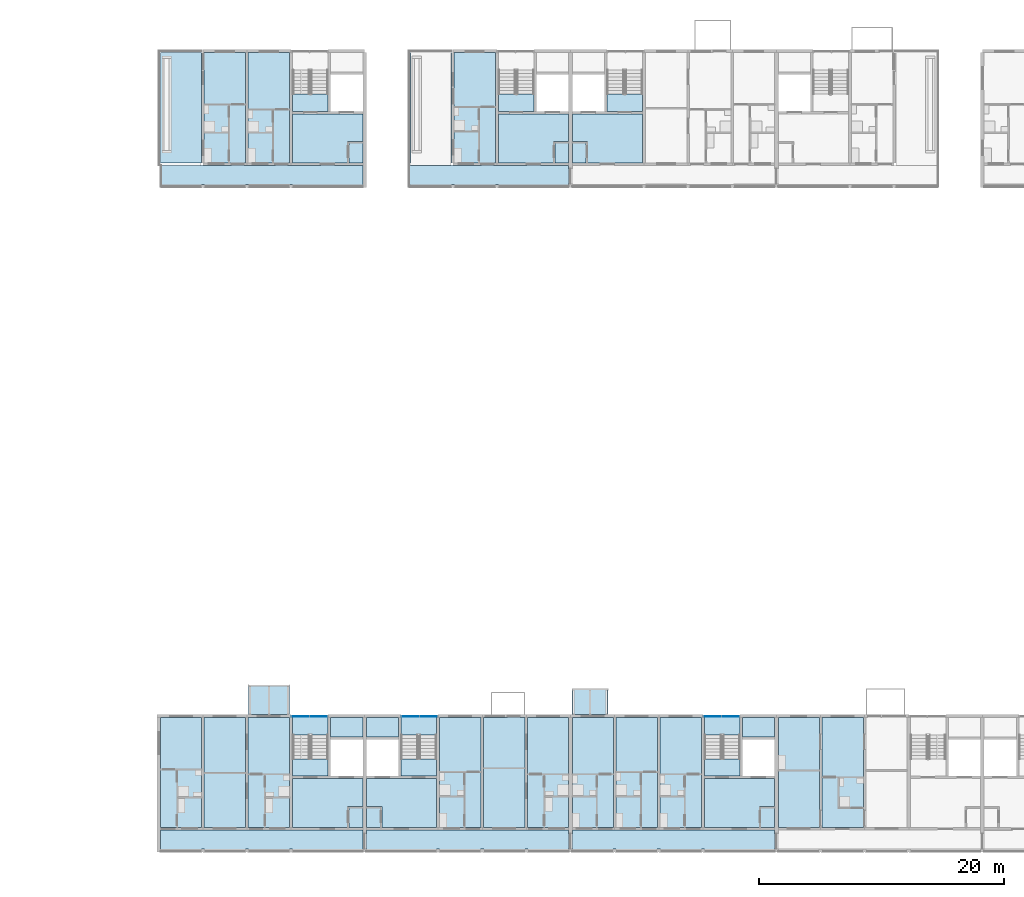
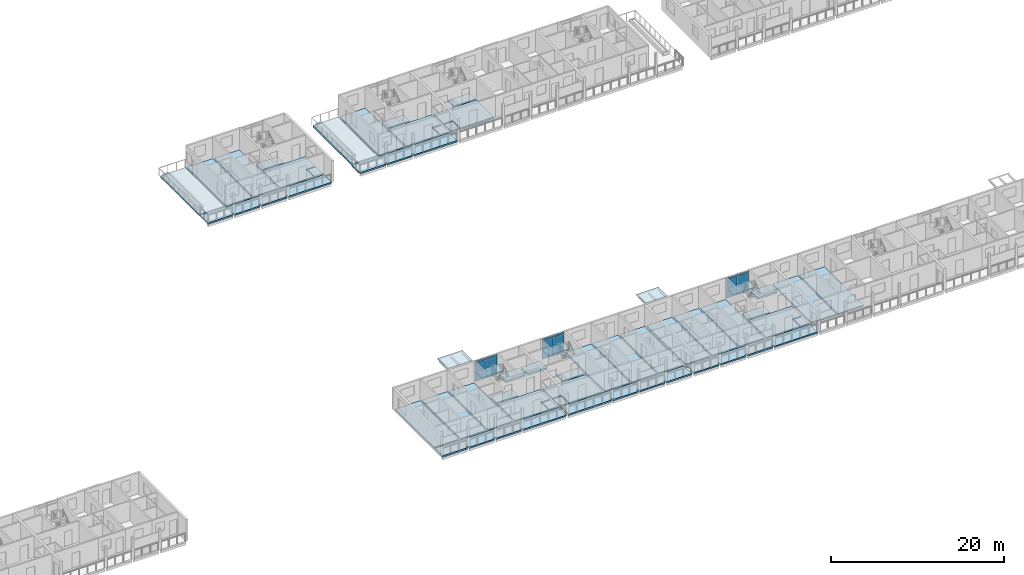
# One storey, part 30 of 94: 47 slabs, 12 plates, 6 elements without a shape of their own.
"""IFC4 building model written with IfcOpenShell, lengths in metres."""

from ifc_helpers import new_model, si_unit, direction, frame, origin, origin_2d, place, context, subcontext, project, spatial, polyline, rectangle, outline, extrude, material, layer, layer_set, type_object, element, aggregate, save


model = new_model("IFC4")

# Units and contexts
model_context = context("Model", 3, precision=1e-05, world=origin(), true_north=direction((0.0, 1.0)))
body_context = subcontext(model_context, "Body", "Model", "MODEL_VIEW")
ifc_project = project(units=[si_unit("LENGTHUNIT", "METRE"), si_unit("AREAUNIT", "SQUARE_METRE"), si_unit("VOLUMEUNIT", "CUBIC_METRE"), si_unit("PLANEANGLEUNIT", "RADIAN"), si_unit("MASSUNIT", "GRAM", prefix="KILO")], contexts=[model_context])

# Site, building, storey
site_placement = place(None, origin())
site = spatial("IfcSite", under=ifc_project, at=site_placement, CompositionType="ELEMENT")
building_placement = place(site_placement, origin())
building = spatial("IfcBuilding", under=site, at=building_placement, Name="Ridgestep Commons", CompositionType="ELEMENT")
storey_placement = place(building_placement, frame((0.0, 0.0, 24.0)))
storey = spatial("IfcBuildingStorey", under=building, at=storey_placement, Name="L08", CompositionType="ELEMENT", Elevation=24.0)

# Slabs
ifc_material_1 = material(Name="Precast concrete C40/50", Category="concrete")
ifc_layer_1 = layer(ifc_material_1, 0.199951171875)
ifc_layer_set_1 = layer_set([ifc_layer_1], Name="Gallery slab 200")
slab_type_1 = type_object("IfcSlabType", Name="Gallery slab 200", PredefinedType="FLOOR", material=ifc_layer_set_1)
slab_1_placement = place(storey_placement, frame((0.0, 0.0, -0.199951171875)))
element("IfcSlab", 1, at=slab_1_placement, inside=storey, type_object=slab_type_1, Name="Gallery slab C1 L08", PredefinedType="FLOOR", context=body_context, shape_type="SweptSolid", body=[
    extrude(outline(polyline([(163.449951171875, 67.800048828125), (146.949951171875, 67.800048828125), (146.949951171875, 66.0), (150.27490234375, 66.0), (150.27490234375, 66.25), (150.52490234375, 66.25), (150.52490234375, 66.0), (153.875, 66.0), (153.875, 66.25), (154.125, 66.25), (154.125, 66.0), (157.47509765625, 66.0), (157.47509765625, 66.25), (157.72509765625, 66.25), (157.72509765625, 66.0), (163.449951171875, 66.0), (163.449951171875, 67.800048828125)])), origin(), (0.0, 0.0, 1.0), 0.199951171875),
])
slab_2_placement = place(storey_placement, frame((0.0, 0.0, -0.199951171875)))
element("IfcSlab", 2, at=slab_2_placement, inside=storey, type_object=slab_type_1, Name="Gallery slab C2 L08", PredefinedType="FLOOR", context=body_context, shape_type="SweptSolid", body=[
    extrude(outline(polyline([(180.25, 66.0), (180.25, 67.800048828125), (167.199951171875, 67.800048828125), (167.199951171875, 66.25), (167.324951171875, 66.25), (167.324951171875, 66.0), (170.675048828125, 66.0), (170.675048828125, 66.25), (170.925048828125, 66.25), (170.925048828125, 66.0), (174.27490234375, 66.0), (174.27490234375, 66.25), (174.52490234375, 66.25), (174.52490234375, 66.0), (180.25, 66.0)])), origin(), (0.0, 0.0, 1.0), 0.199951171875),
])
slab_3_placement = place(storey_placement, frame((0.0, 0.0, -0.199951171875)))
element("IfcSlab", 3, at=slab_3_placement, inside=storey, type_object=slab_type_1, Name="Gallery slab D1 L08", PredefinedType="FLOOR", context=body_context, shape_type="SweptSolid", body=[
    extrude(outline(polyline([(163.449951171875, 13.550048828125), (146.949951171875, 13.550048828125), (146.949951171875, 11.75), (150.27490234375, 11.75), (150.27490234375, 12.0), (150.52490234375, 12.0), (150.52490234375, 11.75), (153.875, 11.75), (153.875, 12.0), (154.125, 12.0), (154.125, 11.75), (157.47509765625, 11.75), (157.47509765625, 12.0), (157.72509765625, 12.0), (157.72509765625, 11.75), (163.449951171875, 11.75), (163.449951171875, 13.550048828125)])), origin(), (0.0, 0.0, 1.0), 0.199951171875),
])
slab_4_placement = place(storey_placement, frame((0.0, 0.0, -0.199951171875)))
element("IfcSlab", 4, at=slab_4_placement, inside=storey, type_object=slab_type_1, Name="Gallery slab D2 L08", PredefinedType="FLOOR", context=body_context, shape_type="SweptSolid", body=[
    extrude(outline(polyline([(180.25, 13.550048828125), (163.75, 13.550048828125), (163.75, 11.75), (169.47509765625, 11.75), (169.47509765625, 12.0), (169.72509765625, 12.0), (169.72509765625, 11.75), (173.074951171875, 11.75), (173.074951171875, 12.0), (173.324951171875, 12.0), (173.324951171875, 11.75), (176.675048828125, 11.75), (176.675048828125, 12.0), (176.925048828125, 12.0), (176.925048828125, 11.75), (180.25, 11.75), (180.25, 13.550048828125)])), origin(), (0.0, 0.0, 1.0), 0.199951171875),
])
slab_5_placement = place(storey_placement, frame((0.0, 0.0, -0.199951171875)))
element("IfcSlab", 5, at=slab_5_placement, inside=storey, type_object=slab_type_1, Name="Gallery slab D3 L08", PredefinedType="FLOOR", context=body_context, shape_type="SweptSolid", body=[
    extrude(outline(polyline([(197.050048828125, 13.550048828125), (180.550048828125, 13.550048828125), (180.550048828125, 11.75), (183.875, 11.75), (183.875, 12.0), (184.125, 12.0), (184.125, 11.75), (187.47509765625, 11.75), (187.47509765625, 12.0), (187.72509765625, 12.0), (187.72509765625, 11.75), (191.074951171875, 11.75), (191.074951171875, 12.0), (191.324951171875, 12.0), (191.324951171875, 11.75), (197.050048828125, 11.75), (197.050048828125, 13.550048828125)])), origin(), (0.0, 0.0, 1.0), 0.199951171875),
])

# Curtain wall, plates
ifc_material_2 = material(Name="Aluminium 6063-T6 and glass", Category="aluminium")
curtain_wall_type = type_object("IfcCurtainWallType", Name="Curtain wall stair strip", PredefinedType="NOTDEFINED", material=ifc_material_2)
curtain_wall_1_placement = place(storey_placement, origin())
curtain_wall_1 = element("IfcCurtainWall", 6, at=curtain_wall_1_placement, inside=storey, type_object=curtain_wall_type, Name="Curtain wall D1C level 08", PredefinedType="NOTDEFINED")
ifc_material_3 = material(Name="Glass laminated 6/16/6 low-emissivity", Category="glass")
ifc_layer_2 = layer(ifc_material_3, 0.028076171875)
ifc_layer_set_2 = layer_set([ifc_layer_2], Name="Glazing panel 28")
plate_type_1 = type_object("IfcPlateType", Name="Glazing panel 28", PredefinedType="CURTAIN_PANEL", material=ifc_layer_set_2)
plate_1_placement = place(storey_placement, frame((158.371337890625, 22.830078125, 0.06005859375), z_axis=(0.0, 0.0, 1.0), x_axis=(1.0, 0.0, 0.0)))
plate_1 = element("IfcPlate", 7, at=plate_1_placement, type_object=plate_type_1, Name="CW1 panel 1.1", PredefinedType="CURTAIN_PANEL", context=body_context, shape_type="SweptSolid", body=[
    extrude(rectangle(XDim=1.422607421875, YDim=0.028076171875, at=origin_2d()), origin(), (0.0, 0.0, 1.0), 2.5),
])
plate_2_placement = place(storey_placement, frame((159.853759765625, 22.830078125, 0.06005859375), z_axis=(0.0, 0.0, 1.0), x_axis=(1.0, 0.0, 0.0)))
plate_2 = element("IfcPlate", 8, at=plate_2_placement, type_object=plate_type_1, Name="CW1 panel 2.1", PredefinedType="CURTAIN_PANEL", context=body_context, shape_type="SweptSolid", body=[
    extrude(rectangle(XDim=1.422607421875, YDim=0.028076171875, at=origin_2d()), origin(), (0.0, 0.0, 1.0), 2.5),
])

curtain_wall_2_placement = place(storey_placement, origin())
curtain_wall_2 = element("IfcCurtainWall", 9, at=curtain_wall_2_placement, inside=storey, type_object=curtain_wall_type, Name="Curtain wall D2C level 08", PredefinedType="NOTDEFINED")
plate_3_placement = place(storey_placement, frame((167.34619140625, 22.830078125, 0.06005859375), z_axis=(0.0, 0.0, 1.0), x_axis=(1.0, 0.0, 0.0)))
plate_3 = element("IfcPlate", 10, at=plate_3_placement, type_object=plate_type_1, Name="CW1 panel 1.1", PredefinedType="CURTAIN_PANEL", context=body_context, shape_type="SweptSolid", body=[
    extrude(rectangle(XDim=1.422607421875, YDim=0.028076171875, at=origin_2d()), origin(), (0.0, 0.0, 1.0), 2.5),
])
plate_4_placement = place(storey_placement, frame((168.828857421875, 22.830078125, 0.06005859375), z_axis=(0.0, 0.0, 1.0), x_axis=(1.0, 0.0, 0.0)))
plate_4 = element("IfcPlate", 11, at=plate_4_placement, type_object=plate_type_1, Name="CW1 panel 2.1", PredefinedType="CURTAIN_PANEL", context=body_context, shape_type="SweptSolid", body=[
    extrude(rectangle(XDim=1.422607421875, YDim=0.028076171875, at=origin_2d()), origin(), (0.0, 0.0, 1.0), 2.5),
])

curtain_wall_3_placement = place(storey_placement, origin())
curtain_wall_3 = element("IfcCurtainWall", 12, at=curtain_wall_3_placement, inside=storey, type_object=curtain_wall_type, Name="Curtain wall D3C level 08", PredefinedType="NOTDEFINED")
plate_5_placement = place(storey_placement, frame((191.97119140625, 22.830078125, 0.06005859375), z_axis=(0.0, 0.0, 1.0), x_axis=(1.0, 0.0, 0.0)))
plate_5 = element("IfcPlate", 13, at=plate_5_placement, type_object=plate_type_1, Name="CW1 panel 1.1", PredefinedType="CURTAIN_PANEL", context=body_context, shape_type="SweptSolid", body=[
    extrude(rectangle(XDim=1.422607421875, YDim=0.028076171875, at=origin_2d()), origin(), (0.0, 0.0, 1.0), 2.5),
])
plate_6_placement = place(storey_placement, frame((193.453857421875, 22.830078125, 0.06005859375), z_axis=(0.0, 0.0, 1.0), x_axis=(1.0, 0.0, 0.0)))
plate_6 = element("IfcPlate", 14, at=plate_6_placement, type_object=plate_type_1, Name="CW1 panel 2.1", PredefinedType="CURTAIN_PANEL", context=body_context, shape_type="SweptSolid", body=[
    extrude(rectangle(XDim=1.422607421875, YDim=0.028076171875, at=origin_2d()), origin(), (0.0, 0.0, 1.0), 2.5),
])

# Slabs
ifc_material_4 = material(Name="Precast concrete C50/60", Category="concrete")
ifc_layer_3 = layer(ifc_material_4, 0.199951171875)
ifc_layer_set_3 = layer_set([ifc_layer_3], Name="Hollow-core plank 200")
slab_type_2 = type_object("IfcSlabType", Name="Hollow-core plank 200", PredefinedType="FLOOR", material=ifc_layer_set_3)
slab_6_placement = place(storey_placement, frame((0.0, 0.0, -0.199951171875)))
element("IfcSlab", 15, at=slab_6_placement, inside=storey, type_object=slab_type_2, Name="Floor plank C1T2 L08", PredefinedType="FLOOR", context=body_context, shape_type="SweptSolid", body=[
    extrude(outline(polyline([(153.89990234375, 68.0), (153.89990234375, 77.0), (150.5, 77.0), (150.5, 68.0), (153.89990234375, 68.0)])), origin(), (0.0, 0.0, 1.0), 0.199951171875),
])
slab_7_placement = place(storey_placement, frame((0.0, 0.0, -0.199951171875)))
element("IfcSlab", 16, at=slab_7_placement, inside=storey, type_object=slab_type_2, Name="Floor plank C1T3 L08", PredefinedType="FLOOR", context=body_context, shape_type="SweptSolid", body=[
    extrude(outline(polyline([(157.47509765625, 68.0), (157.47509765625, 77.0), (154.10009765625, 77.0), (154.10009765625, 68.0), (157.47509765625, 68.0)])), origin(), (0.0, 0.0, 1.0), 0.199951171875),
])
slab_8_placement = place(storey_placement, frame((0.0, 0.0, -0.199951171875)))
element("IfcSlab", 17, at=slab_8_placement, inside=storey, type_object=slab_type_2, Name="Floor plank C2T3 L08", PredefinedType="FLOOR", context=body_context, shape_type="SweptSolid", body=[
    extrude(outline(polyline([(174.27490234375, 68.0), (174.27490234375, 77.0), (170.89990234375, 77.0), (170.89990234375, 68.0), (174.27490234375, 68.0)])), origin(), (0.0, 0.0, 1.0), 0.199951171875),
])
slab_9_placement = place(storey_placement, frame((0.0, 0.0, -0.199951171875)))
element("IfcSlab", 18, at=slab_9_placement, inside=storey, type_object=slab_type_2, Name="Floor plank D1T1 L08", PredefinedType="FLOOR", context=body_context, shape_type="SweptSolid", body=[
    extrude(outline(polyline([(150.300048828125, 13.75), (150.300048828125, 22.75), (146.949951171875, 22.75), (146.949951171875, 13.75), (150.300048828125, 13.75)])), origin(), (0.0, 0.0, 1.0), 0.199951171875),
])
slab_10_placement = place(storey_placement, frame((0.0, 0.0, -0.199951171875)))
element("IfcSlab", 19, at=slab_10_placement, inside=storey, type_object=slab_type_2, Name="Floor plank D1T2 L08", PredefinedType="FLOOR", context=body_context, shape_type="SweptSolid", body=[
    extrude(outline(polyline([(153.89990234375, 13.75), (153.89990234375, 22.75), (150.5, 22.75), (150.5, 13.75), (153.89990234375, 13.75)])), origin(), (0.0, 0.0, 1.0), 0.199951171875),
])
slab_11_placement = place(storey_placement, frame((0.0, 0.0, -0.199951171875)))
element("IfcSlab", 20, at=slab_11_placement, inside=storey, type_object=slab_type_2, Name="Floor plank D1T3 L08", PredefinedType="FLOOR", context=body_context, shape_type="SweptSolid", body=[
    extrude(outline(polyline([(157.47509765625, 13.75), (157.47509765625, 22.75), (154.10009765625, 22.75), (154.10009765625, 13.75), (157.47509765625, 13.75)])), origin(), (0.0, 0.0, 1.0), 0.199951171875),
])
slab_12_placement = place(storey_placement, frame((0.0, 0.0, -0.199951171875)))
element("IfcSlab", 21, at=slab_12_placement, inside=storey, type_object=slab_type_2, Name="Floor plank D2T3 L08", PredefinedType="FLOOR", context=body_context, shape_type="SweptSolid", body=[
    extrude(outline(polyline([(173.10009765625, 13.75), (173.10009765625, 22.75), (169.72509765625, 22.75), (169.72509765625, 13.75), (173.10009765625, 13.75)])), origin(), (0.0, 0.0, 1.0), 0.199951171875),
])
slab_13_placement = place(storey_placement, frame((0.0, 0.0, -0.199951171875)))
element("IfcSlab", 22, at=slab_13_placement, inside=storey, type_object=slab_type_2, Name="Floor plank D2T2 L08", PredefinedType="FLOOR", context=body_context, shape_type="SweptSolid", body=[
    extrude(outline(polyline([(176.699951171875, 13.75), (176.699951171875, 22.75), (173.300048828125, 22.75), (173.300048828125, 13.75), (176.699951171875, 13.75)])), origin(), (0.0, 0.0, 1.0), 0.199951171875),
])
slab_14_placement = place(storey_placement, frame((0.0, 0.0, -0.199951171875)))
element("IfcSlab", 23, at=slab_14_placement, inside=storey, type_object=slab_type_2, Name="Floor plank D2T1 L08", PredefinedType="FLOOR", context=body_context, shape_type="SweptSolid", body=[
    extrude(outline(polyline([(180.25, 13.75), (180.25, 22.75), (176.89990234375, 22.75), (176.89990234375, 13.75), (180.25, 13.75)])), origin(), (0.0, 0.0, 1.0), 0.199951171875),
])
slab_15_placement = place(storey_placement, frame((0.0, 0.0, -0.199951171875)))
element("IfcSlab", 24, at=slab_15_placement, inside=storey, type_object=slab_type_2, Name="Floor plank D3T1 L08", PredefinedType="FLOOR", context=body_context, shape_type="SweptSolid", body=[
    extrude(outline(polyline([(183.89990234375, 13.75), (183.89990234375, 22.75), (180.550048828125, 22.75), (180.550048828125, 13.75), (183.89990234375, 13.75)])), origin(), (0.0, 0.0, 1.0), 0.199951171875),
])
slab_16_placement = place(storey_placement, frame((0.0, 0.0, -0.199951171875)))
element("IfcSlab", 25, at=slab_16_placement, inside=storey, type_object=slab_type_2, Name="Floor plank D3T2 L08", PredefinedType="FLOOR", context=body_context, shape_type="SweptSolid", body=[
    extrude(outline(polyline([(187.5, 13.75), (187.5, 22.75), (184.10009765625, 22.75), (184.10009765625, 13.75), (187.5, 13.75)])), origin(), (0.0, 0.0, 1.0), 0.199951171875),
])
slab_17_placement = place(storey_placement, frame((0.0, 0.0, -0.199951171875)))
element("IfcSlab", 26, at=slab_17_placement, inside=storey, type_object=slab_type_2, Name="Floor plank D3T3 L08", PredefinedType="FLOOR", context=body_context, shape_type="SweptSolid", body=[
    extrude(outline(polyline([(191.074951171875, 13.75), (191.074951171875, 22.75), (187.699951171875, 22.75), (187.699951171875, 13.75), (191.074951171875, 13.75)])), origin(), (0.0, 0.0, 1.0), 0.199951171875),
])
slab_18_placement = place(storey_placement, frame((0.0, 0.0, -0.199951171875)))
element("IfcSlab", 27, at=slab_18_placement, inside=storey, type_object=slab_type_2, Name="Floor plank D4T1 L08", PredefinedType="FLOOR", context=body_context, shape_type="SweptSolid", body=[
    extrude(outline(polyline([(200.699951171875, 13.75), (200.699951171875, 22.75), (197.35009765625, 22.75), (197.35009765625, 13.75), (200.699951171875, 13.75)])), origin(), (0.0, 0.0, 1.0), 0.199951171875),
])
slab_19_placement = place(storey_placement, frame((0.0, 0.0, -0.199951171875)))
element("IfcSlab", 28, at=slab_19_placement, inside=storey, type_object=slab_type_2, Name="Floor plank D4T2 L08", PredefinedType="FLOOR", context=body_context, shape_type="SweptSolid", body=[
    extrude(outline(polyline([(204.300048828125, 13.75), (204.300048828125, 22.75), (200.89990234375, 22.75), (200.89990234375, 13.75), (204.300048828125, 13.75)])), origin(), (0.0, 0.0, 1.0), 0.199951171875),
])
ifc_material_5 = material(Name="Precast concrete C50/60", Category="concrete")
ifc_layer_4 = layer(ifc_material_5, 0.25)
ifc_layer_set_4 = layer_set([ifc_layer_4], Name="Hollow-core plank 250")
slab_type_3 = type_object("IfcSlabType", Name="Hollow-core plank 250", PredefinedType="FLOOR", material=ifc_layer_set_4)
slab_20_placement = place(storey_placement, frame((0.0, 0.0, -0.25)))
element("IfcSlab", 29, at=slab_20_placement, inside=storey, type_object=slab_type_3, Name="Floor plank C1C L08", PredefinedType="FLOOR", context=body_context, shape_type="SweptSolid", body=[
    extrude(outline(polyline([(162.320068359375, 69.719970703125), (163.449951171875, 69.719970703125), (163.449951171875, 72.0), (157.72509765625, 72.0), (157.72509765625, 68.0), (162.199951171875, 68.0), (162.199951171875, 69.719970703125), (162.320068359375, 69.719970703125)])), origin(), (0.0, 0.0, 1.0), 0.25),
])
slab_21_placement = place(storey_placement, frame((0.0, 0.0, -0.25)))
element("IfcSlab", 30, at=slab_21_placement, inside=storey, type_object=slab_type_3, Name="Floor plank C1C L08", PredefinedType="FLOOR", context=body_context, shape_type="SweptSolid", body=[
    extrude(outline(polyline([(160.625, 72.199951171875), (160.625, 73.60009765625), (157.72509765625, 73.60009765625), (157.72509765625, 72.199951171875), (160.625, 72.199951171875)])), origin(), (0.0, 0.0, 1.0), 0.25),
])
slab_22_placement = place(storey_placement, frame((0.0, 0.0, -0.25)))
element("IfcSlab", 31, at=slab_22_placement, inside=storey, type_object=slab_type_3, Name="Floor plank C1C L08", PredefinedType="FLOOR", context=body_context, shape_type="SweptSolid", body=[
    extrude(outline(polyline([(162.320068359375, 68.0), (163.449951171875, 68.0), (163.449951171875, 69.60009765625), (162.320068359375, 69.60009765625), (162.320068359375, 68.0)])), origin(), (0.0, 0.0, 1.0), 0.25),
])
slab_23_placement = place(storey_placement, frame((0.0, 0.0, -0.25)))
element("IfcSlab", 32, at=slab_23_placement, inside=storey, type_object=slab_type_3, Name="Floor plank C2C L08", PredefinedType="FLOOR", context=body_context, shape_type="SweptSolid", body=[
    extrude(outline(polyline([(179.1201171875, 69.719970703125), (180.25, 69.719970703125), (180.25, 72.0), (174.52490234375, 72.0), (174.52490234375, 68.0), (179.0, 68.0), (179.0, 69.719970703125), (179.1201171875, 69.719970703125)])), origin(), (0.0, 0.0, 1.0), 0.25),
])
slab_24_placement = place(storey_placement, frame((0.0, 0.0, -0.25)))
element("IfcSlab", 33, at=slab_24_placement, inside=storey, type_object=slab_type_3, Name="Floor plank C2C L08", PredefinedType="FLOOR", context=body_context, shape_type="SweptSolid", body=[
    extrude(outline(polyline([(177.425048828125, 72.199951171875), (177.425048828125, 73.60009765625), (174.52490234375, 73.60009765625), (174.52490234375, 72.199951171875), (177.425048828125, 72.199951171875)])), origin(), (0.0, 0.0, 1.0), 0.25),
])
slab_25_placement = place(storey_placement, frame((0.0, 0.0, -0.25)))
element("IfcSlab", 34, at=slab_25_placement, inside=storey, type_object=slab_type_3, Name="Floor plank C2C L08", PredefinedType="FLOOR", context=body_context, shape_type="SweptSolid", body=[
    extrude(outline(polyline([(179.1201171875, 68.0), (180.25, 68.0), (180.25, 69.60009765625), (179.1201171875, 69.60009765625), (179.1201171875, 68.0)])), origin(), (0.0, 0.0, 1.0), 0.25),
])
slab_26_placement = place(storey_placement, frame((0.0, 0.0, -0.25)))
element("IfcSlab", 35, at=slab_26_placement, inside=storey, type_object=slab_type_3, Name="Floor plank C3C L08", PredefinedType="FLOOR", context=body_context, shape_type="SweptSolid", body=[
    extrude(outline(polyline([(181.800048828125, 68.0), (186.27490234375, 68.0), (186.27490234375, 72.0), (180.550048828125, 72.0), (180.550048828125, 69.719970703125), (181.679931640625, 69.719970703125), (181.800048828125, 69.719970703125), (181.800048828125, 68.0)])), origin(), (0.0, 0.0, 1.0), 0.25),
])
slab_27_placement = place(storey_placement, frame((0.0, 0.0, -0.25)))
element("IfcSlab", 36, at=slab_27_placement, inside=storey, type_object=slab_type_3, Name="Floor plank C3C L08", PredefinedType="FLOOR", context=body_context, shape_type="SweptSolid", body=[
    extrude(outline(polyline([(186.27490234375, 72.199951171875), (186.27490234375, 73.60009765625), (183.375, 73.60009765625), (183.375, 72.199951171875), (186.27490234375, 72.199951171875)])), origin(), (0.0, 0.0, 1.0), 0.25),
])
slab_28_placement = place(storey_placement, frame((0.0, 0.0, -0.25)))
element("IfcSlab", 37, at=slab_28_placement, inside=storey, type_object=slab_type_3, Name="Floor plank C3C L08", PredefinedType="FLOOR", context=body_context, shape_type="SweptSolid", body=[
    extrude(outline(polyline([(181.679931640625, 69.60009765625), (180.550048828125, 69.60009765625), (180.550048828125, 68.0), (181.679931640625, 68.0), (181.679931640625, 69.60009765625)])), origin(), (0.0, 0.0, 1.0), 0.25),
])
slab_29_placement = place(storey_placement, frame((0.0, 0.0, -0.25)))
element("IfcSlab", 38, at=slab_29_placement, inside=storey, type_object=slab_type_3, Name="Floor plank D1C L08", PredefinedType="FLOOR", context=body_context, shape_type="SweptSolid", body=[
    extrude(outline(polyline([(162.320068359375, 15.469970703125), (163.449951171875, 15.469970703125), (163.449951171875, 17.75), (157.72509765625, 17.75), (157.72509765625, 13.75), (162.199951171875, 13.75), (162.199951171875, 15.469970703125), (162.320068359375, 15.469970703125)])), origin(), (0.0, 0.0, 1.0), 0.25),
])
slab_30_placement = place(storey_placement, frame((0.0, 0.0, -0.25)))
element("IfcSlab", 39, at=slab_30_placement, inside=storey, type_object=slab_type_3, Name="Floor plank D1C L08", PredefinedType="FLOOR", context=body_context, shape_type="SweptSolid", body=[
    extrude(outline(polyline([(163.449951171875, 21.14990234375), (163.449951171875, 22.75), (160.824951171875, 22.75), (160.824951171875, 21.14990234375), (163.449951171875, 21.14990234375)])), origin(), (0.0, 0.0, 1.0), 0.25),
])
slab_31_placement = place(storey_placement, frame((0.0, 0.0, -0.25)))
element("IfcSlab", 40, at=slab_31_placement, inside=storey, type_object=slab_type_3, Name="Floor plank D1C L08", PredefinedType="FLOOR", context=body_context, shape_type="SweptSolid", body=[
    extrude(outline(polyline([(160.625, 17.949951171875), (160.625, 19.35009765625), (157.72509765625, 19.35009765625), (157.72509765625, 17.949951171875), (160.625, 17.949951171875)])), origin(), (0.0, 0.0, 1.0), 0.25),
])
slab_32_placement = place(storey_placement, frame((0.0, 0.0, -0.25)))
element("IfcSlab", 41, at=slab_32_placement, inside=storey, type_object=slab_type_3, Name="Floor plank D1C L08", PredefinedType="FLOOR", context=body_context, shape_type="SweptSolid", body=[
    extrude(outline(polyline([(162.320068359375, 13.75), (163.449951171875, 13.75), (163.449951171875, 15.35009765625), (162.320068359375, 15.35009765625), (162.320068359375, 13.75)])), origin(), (0.0, 0.0, 1.0), 0.25),
])
slab_33_placement = place(storey_placement, frame((0.0, 0.0, -0.25)))
element("IfcSlab", 42, at=slab_33_placement, inside=storey, type_object=slab_type_3, Name="Floor plank D2C L08", PredefinedType="FLOOR", context=body_context, shape_type="SweptSolid", body=[
    extrude(outline(polyline([(165.0, 13.75), (169.47509765625, 13.75), (169.47509765625, 17.75), (163.75, 17.75), (163.75, 15.469970703125), (164.8798828125, 15.469970703125), (165.0, 15.469970703125), (165.0, 13.75)])), origin(), (0.0, 0.0, 1.0), 0.25),
])
slab_34_placement = place(storey_placement, frame((0.0, 0.0, -0.25)))
element("IfcSlab", 43, at=slab_34_placement, inside=storey, type_object=slab_type_3, Name="Floor plank D2C L08", PredefinedType="FLOOR", context=body_context, shape_type="SweptSolid", body=[
    extrude(outline(polyline([(166.375, 22.75), (163.75, 22.75), (163.75, 21.14990234375), (166.375, 21.14990234375), (166.375, 22.75)])), origin(), (0.0, 0.0, 1.0), 0.25),
])
slab_35_placement = place(storey_placement, frame((0.0, 0.0, -0.25)))
element("IfcSlab", 44, at=slab_35_placement, inside=storey, type_object=slab_type_3, Name="Floor plank D2C L08", PredefinedType="FLOOR", context=body_context, shape_type="SweptSolid", body=[
    extrude(outline(polyline([(169.47509765625, 17.949951171875), (169.47509765625, 19.35009765625), (166.574951171875, 19.35009765625), (166.574951171875, 17.949951171875), (169.47509765625, 17.949951171875)])), origin(), (0.0, 0.0, 1.0), 0.25),
])
slab_36_placement = place(storey_placement, frame((0.0, 0.0, -0.25)))
element("IfcSlab", 45, at=slab_36_placement, inside=storey, type_object=slab_type_3, Name="Floor plank D2C L08", PredefinedType="FLOOR", context=body_context, shape_type="SweptSolid", body=[
    extrude(outline(polyline([(164.8798828125, 15.35009765625), (163.75, 15.35009765625), (163.75, 13.75), (164.8798828125, 13.75), (164.8798828125, 15.35009765625)])), origin(), (0.0, 0.0, 1.0), 0.25),
])
slab_37_placement = place(storey_placement, frame((0.0, 0.0, -0.25)))
element("IfcSlab", 46, at=slab_37_placement, inside=storey, type_object=slab_type_3, Name="Floor plank D3C L08", PredefinedType="FLOOR", context=body_context, shape_type="SweptSolid", body=[
    extrude(outline(polyline([(195.919921875, 15.469970703125), (197.050048828125, 15.469970703125), (197.050048828125, 17.75), (191.324951171875, 17.75), (191.324951171875, 13.75), (195.800048828125, 13.75), (195.800048828125, 15.469970703125), (195.919921875, 15.469970703125)])), origin(), (0.0, 0.0, 1.0), 0.25),
])
slab_38_placement = place(storey_placement, frame((0.0, 0.0, -0.25)))
element("IfcSlab", 47, at=slab_38_placement, inside=storey, type_object=slab_type_3, Name="Floor plank D3C L08", PredefinedType="FLOOR", context=body_context, shape_type="SweptSolid", body=[
    extrude(outline(polyline([(197.050048828125, 21.14990234375), (197.050048828125, 22.75), (194.425048828125, 22.75), (194.425048828125, 21.14990234375), (197.050048828125, 21.14990234375)])), origin(), (0.0, 0.0, 1.0), 0.25),
])
slab_39_placement = place(storey_placement, frame((0.0, 0.0, -0.25)))
element("IfcSlab", 48, at=slab_39_placement, inside=storey, type_object=slab_type_3, Name="Floor plank D3C L08", PredefinedType="FLOOR", context=body_context, shape_type="SweptSolid", body=[
    extrude(outline(polyline([(194.22509765625, 17.949951171875), (194.22509765625, 19.35009765625), (191.324951171875, 19.35009765625), (191.324951171875, 17.949951171875), (194.22509765625, 17.949951171875)])), origin(), (0.0, 0.0, 1.0), 0.25),
])
slab_40_placement = place(storey_placement, frame((0.0, 0.0, -0.25)))
element("IfcSlab", 49, at=slab_40_placement, inside=storey, type_object=slab_type_3, Name="Floor plank D3C L08", PredefinedType="FLOOR", context=body_context, shape_type="SweptSolid", body=[
    extrude(outline(polyline([(195.919921875, 13.75), (197.050048828125, 13.75), (197.050048828125, 15.35009765625), (195.919921875, 15.35009765625), (195.919921875, 13.75)])), origin(), (0.0, 0.0, 1.0), 0.25),
])
ifc_material_6 = material(Name="Precast concrete C50/60", Category="concrete")
ifc_layer_5 = layer(ifc_material_6, 0.25)
ifc_layer_set_5 = layer_set([ifc_layer_5], Name="Roof slab 250")
slab_type_4 = type_object("IfcSlabType", Name="Roof slab 250", PredefinedType="ROOF", material=ifc_layer_set_5)
slab_41_placement = place(storey_placement, frame((0.0, 0.0, -0.25)))
element("IfcSlab", 50, at=slab_41_placement, inside=storey, type_object=slab_type_4, Name="Terrace slab C1T1", PredefinedType="ROOF", context=body_context, shape_type="SweptSolid", body=[
    extrude(outline(polyline([(150.300048828125, 68.0), (150.300048828125, 77.0), (146.949951171875, 77.0), (146.949951171875, 68.0), (150.300048828125, 68.0)])), origin(), (0.0, 0.0, 1.0), 0.25),
])
slab_42_placement = place(storey_placement, frame((0.0, 0.0, -0.25)))
element("IfcSlab", 51, at=slab_42_placement, inside=storey, type_object=slab_type_4, Name="Terrace slab C2T2", PredefinedType="ROOF", context=body_context, shape_type="SweptSolid", body=[
    extrude(outline(polyline([(170.699951171875, 68.0), (170.699951171875, 77.0), (167.300048828125, 77.0), (167.300048828125, 68.0), (170.699951171875, 68.0)])), origin(), (0.0, 0.0, 1.0), 0.25),
])

# Plate
ifc_material_7 = material(Name="Aluminium 6063-T6 and mineral wool", Category="aluminium")
ifc_layer_6 = layer(ifc_material_7, 0.0400390625)
ifc_layer_set_6 = layer_set([ifc_layer_6], Name="Spandrel panel 40")
plate_type_2 = type_object("IfcPlateType", Name="Spandrel panel 40", PredefinedType="CURTAIN_PANEL", material=ifc_layer_set_6)
plate_7_placement = place(storey_placement, frame((158.371337890625, 22.830078125, 2.6201171875), z_axis=(0.0, 0.0, 1.0), x_axis=(1.0, 0.0, 0.0)))
plate_7 = element("IfcPlate", 52, at=plate_7_placement, type_object=plate_type_2, Name="CW1 panel 1.2", PredefinedType="CURTAIN_PANEL", context=body_context, shape_type="SweptSolid", body=[
    extrude(rectangle(XDim=1.422607421875, YDim=0.0400390625, at=origin_2d()), origin(), (0.0, 0.0, 1.0), 0.320068359375),
])

plate_8_placement = place(storey_placement, frame((159.853759765625, 22.830078125, 2.6201171875), z_axis=(0.0, 0.0, 1.0), x_axis=(1.0, 0.0, 0.0)))
plate_8 = element("IfcPlate", 53, at=plate_8_placement, type_object=plate_type_2, Name="CW1 panel 2.2", PredefinedType="CURTAIN_PANEL", context=body_context, shape_type="SweptSolid", body=[
    extrude(rectangle(XDim=1.422607421875, YDim=0.0400390625, at=origin_2d()), origin(), (0.0, 0.0, 1.0), 0.320068359375),
])

aggregate(curtain_wall_1, [plate_1, plate_7, plate_2, plate_8])

plate_9_placement = place(storey_placement, frame((167.34619140625, 22.830078125, 2.6201171875), z_axis=(0.0, 0.0, 1.0), x_axis=(1.0, 0.0, 0.0)))
plate_9 = element("IfcPlate", 54, at=plate_9_placement, type_object=plate_type_2, Name="CW1 panel 1.2", PredefinedType="CURTAIN_PANEL", context=body_context, shape_type="SweptSolid", body=[
    extrude(rectangle(XDim=1.422607421875, YDim=0.0400390625, at=origin_2d()), origin(), (0.0, 0.0, 1.0), 0.320068359375),
])

plate_10_placement = place(storey_placement, frame((168.828857421875, 22.830078125, 2.6201171875), z_axis=(0.0, 0.0, 1.0), x_axis=(1.0, 0.0, 0.0)))
plate_10 = element("IfcPlate", 55, at=plate_10_placement, type_object=plate_type_2, Name="CW1 panel 2.2", PredefinedType="CURTAIN_PANEL", context=body_context, shape_type="SweptSolid", body=[
    extrude(rectangle(XDim=1.422607421875, YDim=0.0400390625, at=origin_2d()), origin(), (0.0, 0.0, 1.0), 0.320068359375),
])

aggregate(curtain_wall_2, [plate_3, plate_9, plate_4, plate_10])

plate_11_placement = place(storey_placement, frame((191.97119140625, 22.830078125, 2.6201171875), z_axis=(0.0, 0.0, 1.0), x_axis=(1.0, 0.0, 0.0)))
plate_11 = element("IfcPlate", 56, at=plate_11_placement, type_object=plate_type_2, Name="CW1 panel 1.2", PredefinedType="CURTAIN_PANEL", context=body_context, shape_type="SweptSolid", body=[
    extrude(rectangle(XDim=1.422607421875, YDim=0.0400390625, at=origin_2d()), origin(), (0.0, 0.0, 1.0), 0.320068359375),
])

plate_12_placement = place(storey_placement, frame((193.453857421875, 22.830078125, 2.6201171875), z_axis=(0.0, 0.0, 1.0), x_axis=(1.0, 0.0, 0.0)))
plate_12 = element("IfcPlate", 57, at=plate_12_placement, type_object=plate_type_2, Name="CW1 panel 2.2", PredefinedType="CURTAIN_PANEL", context=body_context, shape_type="SweptSolid", body=[
    extrude(rectangle(XDim=1.422607421875, YDim=0.0400390625, at=origin_2d()), origin(), (0.0, 0.0, 1.0), 0.320068359375),
])

aggregate(curtain_wall_3, [plate_5, plate_11, plate_6, plate_12])

# Stair, slab
ifc_material_8 = material(Name="Precast concrete C40/50", Category="concrete")
stair_type = type_object("IfcStairType", Name="Escape stair 1400", PredefinedType="HALF_TURN_STAIR", material=ifc_material_8)
stair_1_placement = place(storey_placement, origin())
stair_1 = element("IfcStair", 58, at=stair_1_placement, inside=storey, type_object=stair_type, Name="L08 Escape stair D1C", PredefinedType="HALF_TURN_STAIR")
ifc_material_9 = material(Name="Precast concrete C40/50", Category="concrete")
ifc_layer_7 = layer(ifc_material_9, 0.199951171875)
ifc_layer_set_7 = layer_set([ifc_layer_7], Name="Stair landing 200")
slab_type_5 = type_object("IfcSlabType", Name="Stair landing 200", PredefinedType="LANDING", material=ifc_layer_set_7)
slab_43_placement = place(storey_placement, frame((0.0, 0.0, 1.300048828125)))
slab_43 = element("IfcSlab", 59, at=slab_43_placement, type_object=slab_type_5, Name="D1C landing 1", PredefinedType="LANDING", context=body_context, shape_type="SweptSolid", body=[
    extrude(outline(polyline([(160.625, 21.31005859375), (160.625, 22.75), (157.72509765625, 22.75), (157.72509765625, 21.31005859375), (160.625, 21.31005859375)])), origin(), (0.0, 0.0, 1.0), 0.199951171875),
])
aggregate(stair_1, [slab_43])

stair_2_placement = place(storey_placement, origin())
stair_2 = element("IfcStair", 60, at=stair_2_placement, inside=storey, type_object=stair_type, Name="L08 Escape stair D2C", PredefinedType="HALF_TURN_STAIR")
slab_44_placement = place(storey_placement, frame((0.0, 0.0, 1.300048828125)))
slab_44 = element("IfcSlab", 61, at=slab_44_placement, type_object=slab_type_5, Name="D2C landing 1", PredefinedType="LANDING", context=body_context, shape_type="SweptSolid", body=[
    extrude(outline(polyline([(169.47509765625, 21.31005859375), (169.47509765625, 22.75), (166.574951171875, 22.75), (166.574951171875, 21.31005859375), (169.47509765625, 21.31005859375)])), origin(), (0.0, 0.0, 1.0), 0.199951171875),
])
aggregate(stair_2, [slab_44])

stair_3_placement = place(storey_placement, origin())
stair_3 = element("IfcStair", 62, at=stair_3_placement, inside=storey, type_object=stair_type, Name="L08 Escape stair D3C", PredefinedType="HALF_TURN_STAIR")
slab_45_placement = place(storey_placement, frame((0.0, 0.0, 1.300048828125)))
slab_45 = element("IfcSlab", 63, at=slab_45_placement, type_object=slab_type_5, Name="D3C landing 1", PredefinedType="LANDING", context=body_context, shape_type="SweptSolid", body=[
    extrude(outline(polyline([(194.22509765625, 21.31005859375), (194.22509765625, 22.75), (191.324951171875, 22.75), (191.324951171875, 21.31005859375), (194.22509765625, 21.31005859375)])), origin(), (0.0, 0.0, 1.0), 0.199951171875),
])
aggregate(stair_3, [slab_45])

# Slabs
ifc_material_10 = material(Name="Weathering steel S355J2W", Category="steel")
ifc_layer_8 = layer(ifc_material_10, 0.010009765625)
ifc_layer_set_8 = layer_set([ifc_layer_8], Name="Tray 3.0 x 2.1")
slab_type_6 = type_object("IfcSlabType", Name="Tray 3.0 x 2.1", PredefinedType="FLOOR", material=ifc_layer_set_8)
slab_46_placement = place(storey_placement, frame((0.0, 0.0, 2.989990234375)))
element("IfcSlab", 64, at=slab_46_placement, inside=storey, type_object=slab_type_6, Name="Tray deck D3T1-09", PredefinedType="FLOOR", context=body_context, shape_type="SweptSolid", body=[
    extrude(outline(polyline([(180.530029296875, 23.0), (183.469970703125, 23.0), (183.469970703125, 25.10009765625), (180.530029296875, 25.10009765625), (180.530029296875, 23.0)])), origin(), (0.0, 0.0, 1.0), 0.010009765625),
])
ifc_material_11 = material(Name="Weathering steel S355J2W", Category="steel")
ifc_layer_9 = layer(ifc_material_11, 0.010009765625)
ifc_layer_set_9 = layer_set([ifc_layer_9], Name="Tray 3.4 x 2.4")
slab_type_7 = type_object("IfcSlabType", Name="Tray 3.4 x 2.4", PredefinedType="FLOOR", material=ifc_layer_set_9)
slab_47_placement = place(storey_placement, frame((0.0, 0.0, 2.989990234375)))
element("IfcSlab", 65, at=slab_47_placement, inside=storey, type_object=slab_type_7, Name="Tray deck D1T3-09", PredefinedType="FLOOR", context=body_context, shape_type="SweptSolid", body=[
    extrude(outline(polyline([(154.1298828125, 23.0), (157.469970703125, 23.0), (157.469970703125, 25.39990234375), (154.1298828125, 25.39990234375), (154.1298828125, 23.0)])), origin(), (0.0, 0.0, 1.0), 0.010009765625),
])

save(model, "model.ifc")
